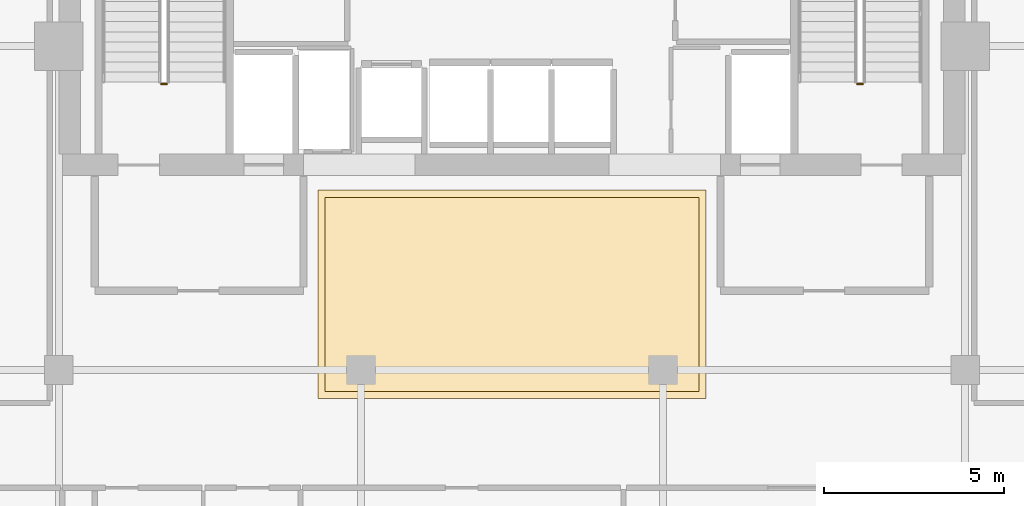
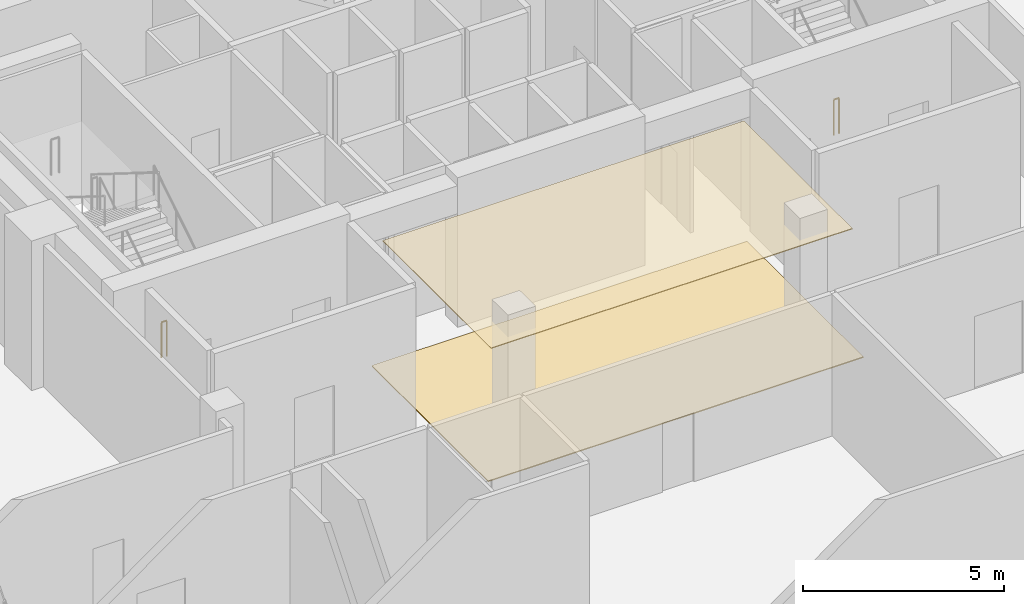
# One storey, part 21 of 23: 2 coverings, 2 railings.
"""IFC4 building model written with IfcOpenShell, lengths in metres."""

from ifc_helpers import new_model, si_unit, direction, frame, origin, origin_2d, place, context, subcontext, project, spatial, polyline, circle, outline, extrude, material, layer, layer_set, type_object, element, save


model = new_model("IFC4")

# Units and contexts
model_context = context("Model", 3, precision=1e-05, world=origin(), true_north=direction((0.0, 1.0)))
body_context = subcontext(model_context, "Body", "Model", "MODEL_VIEW")
ifc_project = project(units=[si_unit("LENGTHUNIT", "METRE"), si_unit("AREAUNIT", "SQUARE_METRE"), si_unit("VOLUMEUNIT", "CUBIC_METRE"), si_unit("PLANEANGLEUNIT", "RADIAN"), si_unit("MASSUNIT", "GRAM", prefix="KILO")], contexts=[model_context])

# Site, building, storey
site_placement = place(None, origin())
site = spatial("IfcSite", under=ifc_project, at=site_placement, CompositionType="ELEMENT")
building_placement = place(site_placement, origin())
building = spatial("IfcBuilding", under=site, at=building_placement, Name="Maruvema Waterfront Hotel and Observation Tower", CompositionType="ELEMENT")
storey_placement = place(building_placement, frame((0.0, 0.0, 345.10009765625)))
storey = spatial("IfcBuildingStorey", under=building, at=storey_placement, Name="L85", CompositionType="ELEMENT", Elevation=345.10009765625)

# Coverings
ifc_material_1 = material(Name="Honed Pernambuco warm granite", Category="masonry")
ifc_layer_1 = layer(ifc_material_1, 0.030029296875, Name="Honed Pernambuco Granite Lobby Flooring 30 mm")
ifc_layer_set_1 = layer_set([ifc_layer_1], Name="Honed Pernambuco warm granite")
covering_type_1 = type_object("IfcCoveringType", Name="Honed Pernambuco Granite Lobby Flooring 30 mm", PredefinedType="FLOORING", material=ifc_layer_set_1)
covering_1_placement = place(storey_placement, origin())
element("IfcCovering", 1, at=covering_1_placement, inside=storey, type_object=covering_type_1, Name="L85 Sky Concourse Granite Flooring", PredefinedType="FLOORING", context=body_context, shape_type="SweptSolid", body=[
    extrude(outline(polyline([(32.39990234375, 35.199951171875), (43.199951171875, 35.199951171875), (43.199951171875, 41.0), (32.39990234375, 41.0), (32.39990234375, 35.199951171875)])), origin(), (0.0, 0.0, 1.0), 0.02978515625),
])
ifc_material_2 = material(Name="Perforated acoustic gypsum board", Category="gypsum")
ifc_layer_2 = layer(ifc_material_2, 0.02490234375, Name="Perforated Acoustic Gypsum Suspended Ceiling 25 mm")
ifc_layer_set_2 = layer_set([ifc_layer_2], Name="Perforated acoustic gypsum board")
covering_type_2 = type_object("IfcCoveringType", Name="Perforated Acoustic Gypsum Suspended Ceiling 25 mm", PredefinedType="CEILING", material=ifc_layer_set_2)
covering_2_placement = place(storey_placement, frame((0.0, 0.0, 3.85986328125)))
element("IfcCovering", 2, at=covering_2_placement, inside=storey, type_object=covering_type_2, Name="L85 Sky Concourse Acoustic Ceiling", PredefinedType="CEILING", context=body_context, shape_type="SweptSolid", body=[
    extrude(outline(polyline([(32.60009765625, 35.39990234375), (43.0, 35.39990234375), (43.0, 40.800048828125), (32.60009765625, 40.800048828125), (32.60009765625, 35.39990234375)])), origin(), (0.0, 0.0, 1.0), 0.025146484375),
])

# Railings
ifc_material_3 = material(Name="Brushed stainless steel Grade 316", Category="steel")
railing_type = type_object("IfcRailingType", Name="Ramp and Terrace Guard Balustrade 1100 mm", PredefinedType="BALUSTRADE", material=ifc_material_3)
railing_1_placement = place(storey_placement, frame((28.199951171875, 43.949951171875, 0.0)))
element("IfcRailing", 3, at=railing_1_placement, inside=storey, type_object=railing_type, Name="L85 ST-01 stair guard 4", PredefinedType="BALUSTRADE", context=body_context, shape_type="SweptSolid", body=[
    extrude(circle(Radius=0.02392578125, at=origin_2d()), frame((0.0, 0.0, 1.076171875), z_axis=(-1.0, 0.0, 0.0), x_axis=(0.0, -1.0, 0.0)), (0.0, 0.0, 1.0), 0.14990234375),
    extrude(circle(Radius=0.02099609375, at=origin_2d()), origin(), (0.0, 0.0, 1.0), 1.052001953125),
    extrude(circle(Radius=0.02099609375, at=origin_2d()), frame((-0.14990234375, 0.0, 0.0)), (0.0, 0.0, 1.0), 1.052001953125),
])
railing_2_placement = place(storey_placement, frame((47.550048828125, 43.949951171875, 0.0)))
element("IfcRailing", 4, at=railing_2_placement, inside=storey, type_object=railing_type, Name="L85 ST-03 stair guard 4", PredefinedType="BALUSTRADE", context=body_context, shape_type="SweptSolid", body=[
    extrude(circle(Radius=0.02392578125, at=origin_2d()), frame((0.0, 0.0, 1.076171875), z_axis=(-1.0, 0.0, 0.0), x_axis=(0.0, -1.0, 0.0)), (0.0, 0.0, 1.0), 0.150146484375),
    extrude(circle(Radius=0.02099609375, at=origin_2d()), origin(), (0.0, 0.0, 1.0), 1.052001953125),
    extrude(circle(Radius=0.02099609375, at=origin_2d()), frame((-0.150146484375, 0.0, 0.0)), (0.0, 0.0, 1.0), 1.052001953125),
])

save(model, "model.ifc")
